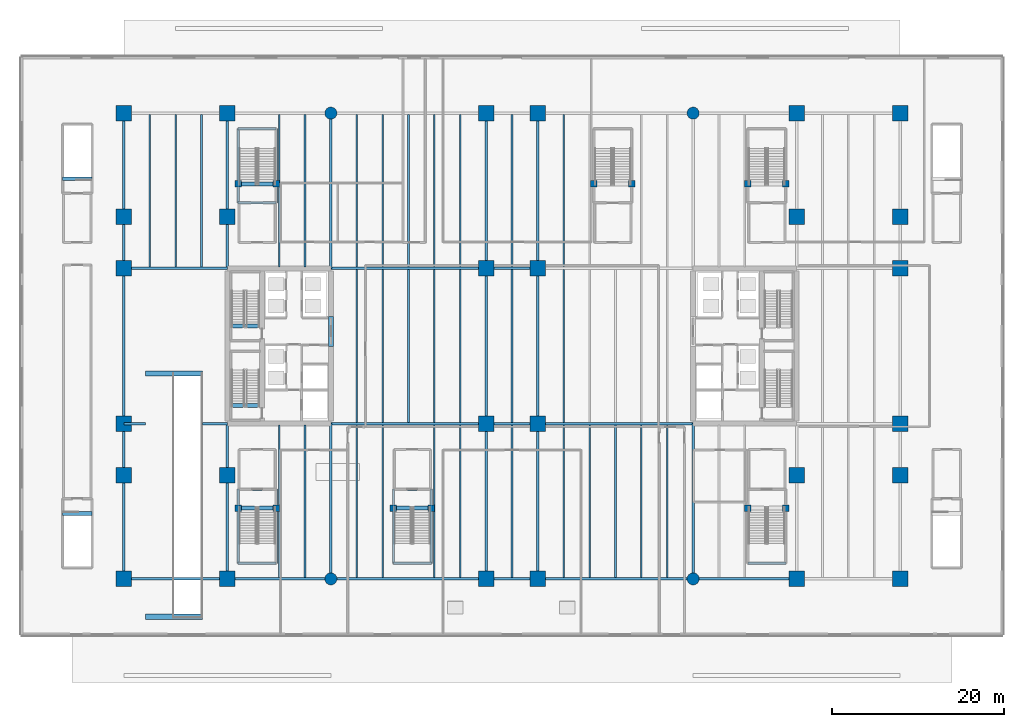
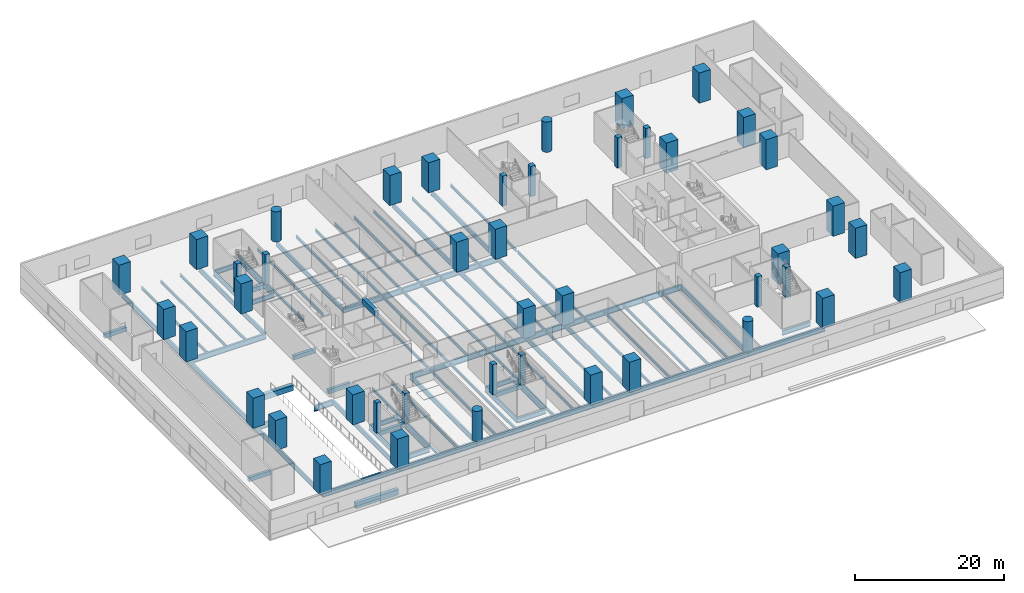
# One storey, part 1 of 25: 82 beams, 44 columns.
"""IFC4 building model written with IfcOpenShell, lengths in metres."""

from ifc_helpers import new_model, si_unit, direction, frame, origin, origin_2d, place, context, subcontext, project, spatial, rectangle, circle, i_section, extrude, material, material_profile, profile_set, type_object, element, save


model = new_model("IFC4")

# Units and contexts
model_context = context("Model", 3, precision=1e-05, world=origin(), true_north=direction((0.0, 1.0)))
body_context = subcontext(model_context, "Body", "Model", "MODEL_VIEW")
ifc_project = project(units=[si_unit("LENGTHUNIT", "METRE"), si_unit("AREAUNIT", "SQUARE_METRE"), si_unit("VOLUMEUNIT", "CUBIC_METRE"), si_unit("PLANEANGLEUNIT", "RADIAN"), si_unit("MASSUNIT", "GRAM", prefix="KILO")], contexts=[model_context])

# Site, building, storey
site_placement = place(None, origin())
site = spatial("IfcSite", under=ifc_project, at=site_placement, CompositionType="ELEMENT")
building_placement = place(site_placement, origin())
building = spatial("IfcBuilding", under=site, at=building_placement, Name="Tanjung Sevakor Pilgrim Tower", CompositionType="ELEMENT")
storey_placement = place(building_placement, origin())
storey = spatial("IfcBuildingStorey", under=building, at=storey_placement, Name="L01", CompositionType="ELEMENT", Elevation=0.0)

# Columns
ifc_material_1 = material(Name="Concrete C60/75", Category="concrete")
ifc_material_profile_1 = material_profile(ifc_material_1, circle(Radius=0.699951171875, at=origin_2d()))
ifc_profile_set_1 = profile_set([ifc_material_profile_1], Name="Concrete C60/75")
column_type_1 = type_object("IfcColumnType", Name="COL-C-D1400-RC-COL_D1400", PredefinedType="COLUMN", material=ifc_profile_set_1)
for number, where, z_axis, x_axis, name in (
    (1, (36.0, 6.60009765625, 0.0), (0.0, 0.0, 1.0), (1.0, 0.0, 0.0), "L01 Column MC-036-066"),
    (2, (36.0, 60.60009765625, 0.0), (0.0, 0.0, 1.0), (1.0, 0.0, 0.0), "L01 Column MC-036-606"),
    (3, (78.0, 6.60009765625, 0.0), (0.0, 0.0, 1.0), (1.0, 0.0, 0.0), "L01 Column MC-078-066"),
    (4, (78.0, 60.60009765625, 0.0), (0.0, 0.0, 1.0), (1.0, 0.0, 0.0), "L01 Column MC-078-606"),
):
    element("IfcColumn", number, at=place(storey_placement, frame(where, z_axis=z_axis, x_axis=x_axis)), inside=storey, type_object=column_type_1, Name=name, PredefinedType="COLUMN", context=body_context, shape_type="SweptSolid", body=[
        extrude(circle(Radius=0.699951171875, at=origin_2d()), origin(), (0.0, 0.0, 1.0), 4.949951171875),
    ])
ifc_material_2 = material(Name="Concrete C60/75", Category="concrete")
ifc_material_profile_2 = material_profile(ifc_material_2, rectangle(XDim=1.800048828125, YDim=1.800048828125, at=origin_2d()))
ifc_profile_set_2 = profile_set([ifc_material_profile_2], Name="Concrete C60/75")
column_type_2 = type_object("IfcColumnType", Name="COL-C-M1800-RC_1800x1800", PredefinedType="COLUMN", material=ifc_profile_set_2)
for number, where, z_axis, x_axis, name in (
    (5, (12.0, 6.60009765625, 0.0), (0.0, 0.0, 1.0), (1.0, 0.0, 0.0), "L01 Column MC-012-066"),
    (6, (12.0, 24.60009765625, 0.0), (0.0, 0.0, 1.0), (1.0, 0.0, 0.0), "L01 Column MC-012-246"),
    (7, (12.0, 42.60009765625, 0.0), (0.0, 0.0, 1.0), (1.0, 0.0, 0.0), "L01 Column MC-012-426"),
    (8, (12.0, 60.60009765625, 0.0), (0.0, 0.0, 1.0), (1.0, 0.0, 0.0), "L01 Column MC-012-606"),
    (9, (24.0, 6.60009765625, 0.0), (0.0, 0.0, 1.0), (1.0, 0.0, 0.0), "L01 Column MC-024-066"),
    (10, (24.0, 60.60009765625, 0.0), (0.0, 0.0, 1.0), (1.0, 0.0, 0.0), "L01 Column MC-024-606"),
    (11, (54.0, 6.60009765625, 0.0), (0.0, 0.0, 1.0), (1.0, 0.0, 0.0), "L01 Column MC-054-066"),
    (12, (54.0, 24.60009765625, 0.0), (0.0, 0.0, 1.0), (1.0, 0.0, 0.0), "L01 Column MC-054-246"),
    (13, (54.0, 42.60009765625, 0.0), (0.0, 0.0, 1.0), (1.0, 0.0, 0.0), "L01 Column MC-054-426"),
    (14, (54.0, 60.60009765625, 0.0), (0.0, 0.0, 1.0), (1.0, 0.0, 0.0), "L01 Column MC-054-606"),
    (15, (60.0, 6.60009765625, 0.0), (0.0, 0.0, 1.0), (1.0, 0.0, 0.0), "L01 Column MC-060-066"),
    (16, (60.0, 24.60009765625, 0.0), (0.0, 0.0, 1.0), (1.0, 0.0, 0.0), "L01 Column MC-060-246"),
    (17, (60.0, 42.60009765625, 0.0), (0.0, 0.0, 1.0), (1.0, 0.0, 0.0), "L01 Column MC-060-426"),
    (18, (60.0, 60.60009765625, 0.0), (0.0, 0.0, 1.0), (1.0, 0.0, 0.0), "L01 Column MC-060-606"),
    (19, (90.0, 6.60009765625, 0.0), (0.0, 0.0, 1.0), (1.0, 0.0, 0.0), "L01 Column MC-090-066"),
    (20, (90.0, 60.60009765625, 0.0), (0.0, 0.0, 1.0), (1.0, 0.0, 0.0), "L01 Column MC-090-606"),
    (21, (102.0, 6.60009765625, 0.0), (0.0, 0.0, 1.0), (1.0, 0.0, 0.0), "L01 Column MC-102-066"),
    (22, (102.0, 24.60009765625, 0.0), (0.0, 0.0, 1.0), (1.0, 0.0, 0.0), "L01 Column MC-102-246"),
    (23, (102.0, 42.60009765625, 0.0), (0.0, 0.0, 1.0), (1.0, 0.0, 0.0), "L01 Column MC-102-426"),
    (24, (102.0, 60.60009765625, 0.0), (0.0, 0.0, 1.0), (1.0, 0.0, 0.0), "L01 Column MC-102-606"),
    (25, (12.0, 18.60009765625, 0.0), (0.0, 0.0, 1.0), (1.0, 0.0, 0.0), "L01 Column MCE-012-186"),
    (26, (12.0, 48.60009765625, 0.0), (0.0, 0.0, 1.0), (1.0, 0.0, 0.0), "L01 Column MCE-012-486"),
    (27, (24.0, 18.60009765625, 0.0), (0.0, 0.0, 1.0), (1.0, 0.0, 0.0), "L01 Column MCE-024-186"),
    (28, (24.0, 48.60009765625, 0.0), (0.0, 0.0, 1.0), (1.0, 0.0, 0.0), "L01 Column MCE-024-486"),
    (29, (90.0, 18.60009765625, 0.0), (0.0, 0.0, 1.0), (1.0, 0.0, 0.0), "L01 Column MCE-090-186"),
    (30, (90.0, 48.60009765625, 0.0), (0.0, 0.0, 1.0), (1.0, 0.0, 0.0), "L01 Column MCE-090-486"),
    (31, (102.0, 18.60009765625, 0.0), (0.0, 0.0, 1.0), (1.0, 0.0, 0.0), "L01 Column MCE-102-186"),
    (32, (102.0, 48.60009765625, 0.0), (0.0, 0.0, 1.0), (1.0, 0.0, 0.0), "L01 Column MCE-102-486"),
):
    element("IfcColumn", number, at=place(storey_placement, frame(where, z_axis=z_axis, x_axis=x_axis)), inside=storey, type_object=column_type_2, Name=name, PredefinedType="COLUMN", context=body_context, shape_type="SweptSolid", body=[
        extrude(rectangle(XDim=1.800048828125, YDim=1.800048828125, at=origin_2d()), origin(), (0.0, 0.0, 1.0), 4.949951171875),
    ])
ifc_material_3 = material(Name="Concrete C60/75", Category="concrete")
ifc_material_profile_3 = material_profile(ifc_material_3, rectangle(XDim=0.75, YDim=0.75, at=origin_2d()))
ifc_profile_set_3 = profile_set([ifc_material_profile_3], Name="Concrete C60/75")
column_type_3 = type_object("IfcColumnType", Name="COL-C-T750-RC_750x750", PredefinedType="COLUMN", material=ifc_profile_set_3)
for number, where, z_axis, x_axis, name in (
    (33, (25.25, 14.800048828125, 0.0), (0.0, 0.0, 1.0), (1.0, 0.0, 0.0), "L01 Stair Frame Column PS1P1"),
    (34, (29.64990234375, 14.800048828125, 0.0), (0.0, 0.0, 1.0), (1.0, 0.0, 0.0), "L01 Stair Frame Column PS1P2"),
    (35, (25.25, 52.39990234375, 0.0), (0.0, 0.0, 1.0), (1.0, 0.0, 0.0), "L01 Stair Frame Column PS2P1"),
    (36, (29.64990234375, 52.39990234375, 0.0), (0.0, 0.0, 1.0), (1.0, 0.0, 0.0), "L01 Stair Frame Column PS2P2"),
    (37, (43.25, 14.800048828125, 0.0), (0.0, 0.0, 1.0), (1.0, 0.0, 0.0), "L01 Stair Frame Column PS3P1"),
    (38, (47.64990234375, 14.800048828125, 0.0), (0.0, 0.0, 1.0), (1.0, 0.0, 0.0), "L01 Stair Frame Column PS3P2"),
    (39, (66.5, 52.39990234375, 0.0), (0.0, 0.0, 1.0), (1.0, 0.0, 0.0), "L01 Stair Frame Column PS4P1"),
    (40, (70.89990234375, 52.39990234375, 0.0), (0.0, 0.0, 1.0), (1.0, 0.0, 0.0), "L01 Stair Frame Column PS4P2"),
    (41, (84.35009765625, 14.800048828125, 0.0), (0.0, 0.0, 1.0), (1.0, 0.0, 0.0), "L01 Stair Frame Column PS5P1"),
    (42, (88.75, 14.800048828125, 0.0), (0.0, 0.0, 1.0), (1.0, 0.0, 0.0), "L01 Stair Frame Column PS5P2"),
    (43, (84.35009765625, 52.39990234375, 0.0), (0.0, 0.0, 1.0), (1.0, 0.0, 0.0), "L01 Stair Frame Column PS6P1"),
    (44, (88.75, 52.39990234375, 0.0), (0.0, 0.0, 1.0), (1.0, 0.0, 0.0), "L01 Stair Frame Column PS6P2"),
):
    element("IfcColumn", number, at=place(storey_placement, frame(where, z_axis=z_axis, x_axis=x_axis)), inside=storey, type_object=column_type_3, Name=name, PredefinedType="COLUMN", context=body_context, shape_type="SweptSolid", body=[
        extrude(rectangle(XDim=0.75, YDim=0.75, at=origin_2d()), origin(), (0.0, 0.0, 1.0), 4.949951171875),
    ])

# Beams
ifc_material_4 = material(Name="Steel S355J2", Category="steel")
ifc_material_profile_4 = material_profile(ifc_material_4, i_section(OverallWidth=0.26806640625, OverallDepth=0.769775390625, WebThickness=0.015625, FlangeThickness=0.025390625, FilletRadius=0.0166015625, at=origin_2d()))
ifc_profile_set_4 = profile_set([ifc_material_profile_4], Name="Steel S355J2")
beam_type_1 = type_object("IfcBeamType", Name="BM-B-G1-UB_762x267x197", PredefinedType="BEAM", material=ifc_profile_set_4)
for number, where, z_axis, x_axis, name in (
    (45, (12.0, 6.60009765625, -0.664794921875), (0.0, 1.0, 0.0), (-1.0, 0.0, 0.0), "L01 Podium Girder NS X12-2"),
    (46, (12.0, 24.60009765625, -0.664794921875), (0.0, 1.0, 0.0), (-1.0, 0.0, 0.0), "L01 Podium Girder NS X12-3"),
    (47, (12.0, 42.60009765625, -0.664794921875), (0.0, 1.0, 0.0), (-1.0, 0.0, 0.0), "L01 Podium Girder NS X12-4"),
    (48, (24.0, 6.60009765625, -0.664794921875), (0.0, 1.0, 0.0), (-1.0, 0.0, 0.0), "L01 Podium Girder NS X24-2"),
    (49, (24.0, 42.60009765625, -0.664794921875), (0.0, 1.0, 0.0), (-1.0, 0.0, 0.0), "L01 Podium Girder NS X24-3"),
    (50, (36.0, 6.60009765625, -0.664794921875), (0.0, 1.0, 0.0), (-1.0, 0.0, 0.0), "L01 Podium Girder NS X36-2"),
    (51, (36.0, 42.60009765625, -0.664794921875), (0.0, 1.0, 0.0), (-1.0, 0.0, 0.0), "L01 Podium Girder NS X36-3"),
    (52, (54.0, 6.60009765625, -0.664794921875), (0.0, 1.0, 0.0), (-1.0, 0.0, 0.0), "L01 Podium Girder NS X54-2"),
    (53, (54.0, 24.60009765625, -0.664794921875), (0.0, 1.0, 0.0), (-1.0, 0.0, 0.0), "L01 Podium Girder NS X54-3"),
    (54, (54.0, 42.60009765625, -0.664794921875), (0.0, 1.0, 0.0), (-1.0, 0.0, 0.0), "L01 Podium Girder NS X54-4"),
    (55, (60.0, 6.60009765625, -0.664794921875), (0.0, 1.0, 0.0), (-1.0, 0.0, 0.0), "L01 Podium Girder NS X60-2"),
    (56, (60.0, 24.60009765625, -0.664794921875), (0.0, 1.0, 0.0), (-1.0, 0.0, 0.0), "L01 Podium Girder NS X60-3"),
    (57, (60.0, 42.60009765625, -0.664794921875), (0.0, 1.0, 0.0), (-1.0, 0.0, 0.0), "L01 Podium Girder NS X60-4"),
    (58, (78.0, 6.60009765625, -0.664794921875), (0.0, 1.0, 0.0), (-1.0, 0.0, 0.0), "L01 Podium Girder NS X78-2"),
):
    element("IfcBeam", number, at=place(storey_placement, frame(where, z_axis=z_axis, x_axis=x_axis)), inside=storey, type_object=beam_type_1, Name=name, PredefinedType="BEAM", context=body_context, shape_type="SweptSolid", body=[
        extrude(i_section(OverallWidth=0.26806640625, OverallDepth=0.769775390625, WebThickness=0.015625, FlangeThickness=0.025390625, FilletRadius=0.0166015625, at=origin_2d()), origin(), (0.0, 0.0, 1.0), 18.0),
    ])
ifc_material_5 = material(Name="Steel S355J2", Category="steel")
ifc_material_profile_5 = material_profile(ifc_material_5, i_section(OverallWidth=0.19287109375, OverallDepth=0.46728515625, WebThickness=0.011474609375, FlangeThickness=0.01953125, FilletRadius=0.01025390625, at=origin_2d()))
ifc_profile_set_5 = profile_set([ifc_material_profile_5], Name="Steel S355J2")
beam_type_2 = type_object("IfcBeamType", Name="BM-B-J1-UB_457x191x98", PredefinedType="JOIST", material=ifc_profile_set_5)
for number, where, z_axis, x_axis, name in (
    (59, (15.0, 42.752685546875, -0.513671875), (0.0, 1.0, 0.0), (-1.0, 0.0, 0.0), "L01 Secondary Joist 001"),
    (60, (18.0, 42.752685546875, -0.513671875), (0.0, 1.0, 0.0), (-1.0, 0.0, 0.0), "L01 Secondary Joist 002"),
    (61, (21.0, 42.752685546875, -0.513671875), (0.0, 1.0, 0.0), (-1.0, 0.0, 0.0), "L01 Secondary Joist 003"),
    (62, (30.0, 6.752685546875, -0.513671875), (0.0, 1.0, 0.0), (-1.0, 0.0, 0.0), "L01 Secondary Joist 004"),
    (63, (30.0, 42.752685546875, -0.513671875), (0.0, 1.0, 0.0), (-1.0, 0.0, 0.0), "L01 Secondary Joist 005"),
    (64, (33.0, 6.752685546875, -0.513671875), (0.0, 1.0, 0.0), (-1.0, 0.0, 0.0), "L01 Secondary Joist 006"),
    (65, (33.0, 42.752685546875, -0.513671875), (0.0, 1.0, 0.0), (-1.0, 0.0, 0.0), "L01 Secondary Joist 007"),
    (66, (39.0, 6.752685546875, -0.513671875), (0.0, 1.0, 0.0), (-1.0, 0.0, 0.0), "L01 Secondary Joist 008"),
    (67, (39.0, 24.752685546875, -0.513671875), (0.0, 1.0, 0.0), (-1.0, 0.0, 0.0), "L01 Secondary Joist 009"),
    (68, (39.0, 42.752685546875, -0.513671875), (0.0, 1.0, 0.0), (-1.0, 0.0, 0.0), "L01 Secondary Joist 010"),
    (69, (42.0, 6.752685546875, -0.513671875), (0.0, 1.0, 0.0), (-1.0, 0.0, 0.0), "L01 Secondary Joist 011"),
    (70, (42.0, 24.752685546875, -0.513671875), (0.0, 1.0, 0.0), (-1.0, 0.0, 0.0), "L01 Secondary Joist 012"),
    (71, (42.0, 42.752685546875, -0.513671875), (0.0, 1.0, 0.0), (-1.0, 0.0, 0.0), "L01 Secondary Joist 013"),
    (72, (45.0, 24.752685546875, -0.513671875), (0.0, 1.0, 0.0), (-1.0, 0.0, 0.0), "L01 Secondary Joist 014"),
    (73, (45.0, 42.752685546875, -0.513671875), (0.0, 1.0, 0.0), (-1.0, 0.0, 0.0), "L01 Secondary Joist 015"),
    (74, (48.0, 6.752685546875, -0.513671875), (0.0, 1.0, 0.0), (-1.0, 0.0, 0.0), "L01 Secondary Joist 016"),
    (75, (48.0, 24.752685546875, -0.513671875), (0.0, 1.0, 0.0), (-1.0, 0.0, 0.0), "L01 Secondary Joist 017"),
    (76, (48.0, 42.752685546875, -0.513671875), (0.0, 1.0, 0.0), (-1.0, 0.0, 0.0), "L01 Secondary Joist 018"),
    (77, (51.0, 6.752685546875, -0.513671875), (0.0, 1.0, 0.0), (-1.0, 0.0, 0.0), "L01 Secondary Joist 019"),
    (78, (51.0, 24.752685546875, -0.513671875), (0.0, 1.0, 0.0), (-1.0, 0.0, 0.0), "L01 Secondary Joist 020"),
    (79, (51.0, 42.752685546875, -0.513671875), (0.0, 1.0, 0.0), (-1.0, 0.0, 0.0), "L01 Secondary Joist 021"),
    (80, (57.0, 6.752685546875, -0.513671875), (0.0, 1.0, 0.0), (-1.0, 0.0, 0.0), "L01 Secondary Joist 022"),
    (81, (57.0, 24.752685546875, -0.513671875), (0.0, 1.0, 0.0), (-1.0, 0.0, 0.0), "L01 Secondary Joist 023"),
    (82, (57.0, 42.752685546875, -0.513671875), (0.0, 1.0, 0.0), (-1.0, 0.0, 0.0), "L01 Secondary Joist 024"),
    (83, (63.0, 6.752685546875, -0.513671875), (0.0, 1.0, 0.0), (-1.0, 0.0, 0.0), "L01 Secondary Joist 025"),
    (84, (63.0, 24.752685546875, -0.513671875), (0.0, 1.0, 0.0), (-1.0, 0.0, 0.0), "L01 Secondary Joist 026"),
    (85, (63.0, 42.752685546875, -0.513671875), (0.0, 1.0, 0.0), (-1.0, 0.0, 0.0), "L01 Secondary Joist 027"),
    (86, (66.0, 6.752685546875, -0.513671875), (0.0, 1.0, 0.0), (-1.0, 0.0, 0.0), "L01 Secondary Joist 028"),
    (87, (69.0, 6.752685546875, -0.513671875), (0.0, 1.0, 0.0), (-1.0, 0.0, 0.0), "L01 Secondary Joist 031"),
    (88, (72.0, 6.752685546875, -0.513671875), (0.0, 1.0, 0.0), (-1.0, 0.0, 0.0), "L01 Secondary Joist 033"),
    (89, (75.0, 6.752685546875, -0.513671875), (0.0, 1.0, 0.0), (-1.0, 0.0, 0.0), "L01 Secondary Joist 036"),
):
    element("IfcBeam", number, at=place(storey_placement, frame(where, z_axis=z_axis, x_axis=x_axis)), inside=storey, type_object=beam_type_2, Name=name, PredefinedType="JOIST", context=body_context, shape_type="SweptSolid", body=[
        extrude(i_section(OverallWidth=0.19287109375, OverallDepth=0.46728515625, WebThickness=0.011474609375, FlangeThickness=0.01953125, FilletRadius=0.01025390625, at=origin_2d()), origin(), (0.0, 0.0, 1.0), 17.694580078125),
    ])
ifc_material_6 = material(Name="Concrete C60/75", Category="concrete")
ifc_material_profile_6 = material_profile(ifc_material_6, rectangle(XDim=0.60009765625, YDim=0.89990234375, at=origin_2d()))
ifc_profile_set_6 = profile_set([ifc_material_profile_6], Name="Concrete C60/75")
beam_type_3 = type_object("IfcBeamType", Name="BM-B-LN1-RC-BM_600x900", PredefinedType="LINTEL", material=ifc_profile_set_6)
beam_1_placement = place(storey_placement, frame((36.0, 33.550048828125, 4.219970703125), z_axis=(0.0, 1.0, 0.0), x_axis=(-1.0, 0.0, 0.0)))
element("IfcBeam", 90, at=beam_1_placement, inside=storey, type_object=beam_type_3, Name="L01 W Core Coupling Lintel", PredefinedType="LINTEL", context=body_context, shape_type="SweptSolid", body=[
    extrude(rectangle(XDim=0.60009765625, YDim=0.89990234375, at=origin_2d()), origin(), (0.0, 0.0, 1.0), 3.5),
])
for number, where, z_axis, x_axis, name in (
    (91, (14.5, 2.199951171875, -0.699951171875), (1.0, 0.0, 0.0), (0.0, 1.0, 0.0), "L01 Vehicle Ramp Landing Beam 1"),
    (92, (14.5, 30.39990234375, -0.699951171875), (1.0, 0.0, 0.0), (0.0, 1.0, 0.0), "L01 Vehicle Ramp Landing Beam 2"),
):
    element("IfcBeam", number, at=place(storey_placement, frame(where, z_axis=z_axis, x_axis=x_axis)), inside=storey, type_object=beam_type_3, Name=name, PredefinedType="LINTEL", context=body_context, shape_type="SweptSolid", body=[
        extrude(rectangle(XDim=0.60009765625, YDim=0.89990234375, at=origin_2d()), origin(), (0.0, 0.0, 1.0), 6.60009765625),
    ])
ifc_material_7 = material(Name="Concrete C60/75", Category="concrete")
ifc_material_profile_7 = material_profile(ifc_material_7, rectangle(XDim=0.449951171875, YDim=0.699951171875, at=origin_2d()))
ifc_profile_set_7 = profile_set([ifc_material_profile_7], Name="Concrete C60/75")
beam_type_4 = type_object("IfcBeamType", Name="BM-B-LN3-RC-BM_450x700", PredefinedType="LINTEL", material=ifc_profile_set_7)
for number, where, z_axis, x_axis, name in (
    (93, (24.39990234375, 26.699951171875, -0.35009765625), (1.0, 0.0, 0.0), (0.0, 1.0, 0.0), "L01 TS-W1 Stair Threshold Beam"),
    (94, (24.39990234375, 35.89990234375, -0.35009765625), (1.0, 0.0, 0.0), (0.0, 1.0, 0.0), "L01 TS-W2 Stair Threshold Beam"),
):
    element("IfcBeam", number, at=place(storey_placement, frame(where, z_axis=z_axis, x_axis=x_axis)), inside=storey, type_object=beam_type_4, Name=name, PredefinedType="LINTEL", context=body_context, shape_type="SweptSolid", body=[
        extrude(rectangle(XDim=0.449951171875, YDim=0.699951171875, at=origin_2d()), origin(), (0.0, 0.0, 1.0), 3.400146484375),
    ])
for number, where, z_axis, x_axis, name in (
    (95, (25.25, 14.800048828125, -0.35009765625), (1.0, 0.0, 0.0), (0.0, 1.0, 0.0), "L01 PS-1 Stair Threshold Beam"),
    (96, (25.25, 52.39990234375, -0.35009765625), (1.0, 0.0, 0.0), (0.0, 1.0, 0.0), "L01 PS-2 Stair Threshold Beam"),
    (97, (43.25, 14.800048828125, -0.35009765625), (1.0, 0.0, 0.0), (0.0, 1.0, 0.0), "L01 PS-3 Stair Threshold Beam"),
):
    element("IfcBeam", number, at=place(storey_placement, frame(where, z_axis=z_axis, x_axis=x_axis)), inside=storey, type_object=beam_type_4, Name=name, PredefinedType="LINTEL", context=body_context, shape_type="SweptSolid", body=[
        extrude(rectangle(XDim=0.449951171875, YDim=0.699951171875, at=origin_2d()), origin(), (0.0, 0.0, 1.0), 4.39990234375),
    ])
for number, where, z_axis, x_axis, name in (
    (98, (4.89990234375, 14.199951171875, -0.35009765625), (1.0, 0.0, 0.0), (0.0, 1.0, 0.0), "L01 BS-1 Stair Threshold Beam"),
    (99, (4.89990234375, 53.0, -0.35009765625), (1.0, 0.0, 0.0), (0.0, 1.0, 0.0), "L01 BS-2 Stair Threshold Beam"),
):
    element("IfcBeam", number, at=place(storey_placement, frame(where, z_axis=z_axis, x_axis=x_axis)), inside=storey, type_object=beam_type_4, Name=name, PredefinedType="LINTEL", context=body_context, shape_type="SweptSolid", body=[
        extrude(rectangle(XDim=0.449951171875, YDim=0.699951171875, at=origin_2d()), origin(), (0.0, 0.0, 1.0), 3.400146484375),
    ])
ifc_material_8 = material(Name="Steel S355J2", Category="steel")
ifc_material_profile_8 = material_profile(ifc_material_8, i_section(OverallWidth=0.305419921875, OverallDepth=0.91845703125, WebThickness=0.017333984375, FlangeThickness=0.02783203125, FilletRadius=0.01904296875, at=origin_2d()))
ifc_profile_set_8 = profile_set([ifc_material_profile_8], Name="Steel S355J2")
beam_type_5 = type_object("IfcBeamType", Name="BM-B-POD2-UB_914x305x253", PredefinedType="BEAM", material=ifc_profile_set_8)
for number, where, z_axis, x_axis, name in (
    (100, (12.0, 6.60009765625, -0.7392578125), (1.0, 0.0, 0.0), (0.0, 1.0, 0.0), "L01 Podium Girder EW Y6.6-2"),
    (101, (24.0, 6.60009765625, -0.7392578125), (1.0, 0.0, 0.0), (0.0, 1.0, 0.0), "L01 Podium Girder EW Y6.6-3"),
):
    element("IfcBeam", number, at=place(storey_placement, frame(where, z_axis=z_axis, x_axis=x_axis)), inside=storey, type_object=beam_type_5, Name=name, PredefinedType="BEAM", context=body_context, shape_type="SweptSolid", body=[
        extrude(i_section(OverallWidth=0.305419921875, OverallDepth=0.91845703125, WebThickness=0.017333984375, FlangeThickness=0.02783203125, FilletRadius=0.01904296875, at=origin_2d()), origin(), (0.0, 0.0, 1.0), 12.0),
    ])
beam_2_placement = place(storey_placement, frame((36.0, 6.60009765625, -0.7392578125), z_axis=(1.0, 0.0, 0.0), x_axis=(0.0, 1.0, 0.0)))
element("IfcBeam", 102, at=beam_2_placement, inside=storey, type_object=beam_type_5, Name="L01 Podium Girder EW Y6.6-4", PredefinedType="BEAM", context=body_context, shape_type="SweptSolid", body=[
    extrude(i_section(OverallWidth=0.305419921875, OverallDepth=0.91845703125, WebThickness=0.017333984375, FlangeThickness=0.02783203125, FilletRadius=0.01904296875, at=origin_2d()), origin(), (0.0, 0.0, 1.0), 18.0),
])
beam_3_placement = place(storey_placement, frame((54.0, 6.60009765625, -0.7392578125), z_axis=(1.0, 0.0, 0.0), x_axis=(0.0, 1.0, 0.0)))
element("IfcBeam", 103, at=beam_3_placement, inside=storey, type_object=beam_type_5, Name="L01 Podium Girder EW Y6.6-5", PredefinedType="BEAM", context=body_context, shape_type="SweptSolid", body=[
    extrude(i_section(OverallWidth=0.305419921875, OverallDepth=0.91845703125, WebThickness=0.017333984375, FlangeThickness=0.02783203125, FilletRadius=0.01904296875, at=origin_2d()), origin(), (0.0, 0.0, 1.0), 6.0),
])
beam_4_placement = place(storey_placement, frame((60.0, 6.60009765625, -0.7392578125), z_axis=(1.0, 0.0, 0.0), x_axis=(0.0, 1.0, 0.0)))
element("IfcBeam", 104, at=beam_4_placement, inside=storey, type_object=beam_type_5, Name="L01 Podium Girder EW Y6.6-6", PredefinedType="BEAM", context=body_context, shape_type="SweptSolid", body=[
    extrude(i_section(OverallWidth=0.305419921875, OverallDepth=0.91845703125, WebThickness=0.017333984375, FlangeThickness=0.02783203125, FilletRadius=0.01904296875, at=origin_2d()), origin(), (0.0, 0.0, 1.0), 18.0),
])
beam_5_placement = place(storey_placement, frame((78.0, 6.60009765625, -0.7392578125), z_axis=(1.0, 0.0, 0.0), x_axis=(0.0, 1.0, 0.0)))
element("IfcBeam", 105, at=beam_5_placement, inside=storey, type_object=beam_type_5, Name="L01 Podium Girder EW Y6.6-7", PredefinedType="BEAM", context=body_context, shape_type="SweptSolid", body=[
    extrude(i_section(OverallWidth=0.305419921875, OverallDepth=0.91845703125, WebThickness=0.017333984375, FlangeThickness=0.02783203125, FilletRadius=0.01904296875, at=origin_2d()), origin(), (0.0, 0.0, 1.0), 12.0),
])
beam_6_placement = place(storey_placement, frame((12.0, 24.60009765625, -0.7392578125), z_axis=(1.0, 0.0, 0.0), x_axis=(0.0, 1.0, 0.0)))
element("IfcBeam", 106, at=beam_6_placement, inside=storey, type_object=beam_type_5, Name="L01 Podium Girder EW Y24.6-2", PredefinedType="BEAM", context=body_context, shape_type="SweptSolid", body=[
    extrude(i_section(OverallWidth=0.305419921875, OverallDepth=0.91845703125, WebThickness=0.017333984375, FlangeThickness=0.02783203125, FilletRadius=0.01904296875, at=origin_2d()), origin(), (0.0, 0.0, 1.0), 2.5),
])
beam_7_placement = place(storey_placement, frame((21.10009765625, 24.60009765625, -0.7392578125), z_axis=(1.0, 0.0, 0.0), x_axis=(0.0, 1.0, 0.0)))
element("IfcBeam", 107, at=beam_7_placement, inside=storey, type_object=beam_type_5, Name="L01 Podium Girder EW Y24.6-3", PredefinedType="BEAM", context=body_context, shape_type="SweptSolid", body=[
    extrude(i_section(OverallWidth=0.305419921875, OverallDepth=0.91845703125, WebThickness=0.017333984375, FlangeThickness=0.02783203125, FilletRadius=0.01904296875, at=origin_2d()), origin(), (0.0, 0.0, 1.0), 2.89990234375),
])
beam_8_placement = place(storey_placement, frame((36.0, 24.60009765625, -0.7392578125), z_axis=(1.0, 0.0, 0.0), x_axis=(0.0, 1.0, 0.0)))
element("IfcBeam", 108, at=beam_8_placement, inside=storey, type_object=beam_type_5, Name="L01 Podium Girder EW Y24.6-4", PredefinedType="BEAM", context=body_context, shape_type="SweptSolid", body=[
    extrude(i_section(OverallWidth=0.305419921875, OverallDepth=0.91845703125, WebThickness=0.017333984375, FlangeThickness=0.02783203125, FilletRadius=0.01904296875, at=origin_2d()), origin(), (0.0, 0.0, 1.0), 18.0),
])
beam_9_placement = place(storey_placement, frame((54.0, 24.60009765625, -0.7392578125), z_axis=(1.0, 0.0, 0.0), x_axis=(0.0, 1.0, 0.0)))
element("IfcBeam", 109, at=beam_9_placement, inside=storey, type_object=beam_type_5, Name="L01 Podium Girder EW Y24.6-5", PredefinedType="BEAM", context=body_context, shape_type="SweptSolid", body=[
    extrude(i_section(OverallWidth=0.305419921875, OverallDepth=0.91845703125, WebThickness=0.017333984375, FlangeThickness=0.02783203125, FilletRadius=0.01904296875, at=origin_2d()), origin(), (0.0, 0.0, 1.0), 6.0),
])
beam_10_placement = place(storey_placement, frame((60.0, 24.60009765625, -0.7392578125), z_axis=(1.0, 0.0, 0.0), x_axis=(0.0, 1.0, 0.0)))
element("IfcBeam", 110, at=beam_10_placement, inside=storey, type_object=beam_type_5, Name="L01 Podium Girder EW Y24.6-6", PredefinedType="BEAM", context=body_context, shape_type="SweptSolid", body=[
    extrude(i_section(OverallWidth=0.305419921875, OverallDepth=0.91845703125, WebThickness=0.017333984375, FlangeThickness=0.02783203125, FilletRadius=0.01904296875, at=origin_2d()), origin(), (0.0, 0.0, 1.0), 18.0),
])
beam_11_placement = place(storey_placement, frame((12.0, 42.60009765625, -0.7392578125), z_axis=(1.0, 0.0, 0.0), x_axis=(0.0, 1.0, 0.0)))
element("IfcBeam", 111, at=beam_11_placement, inside=storey, type_object=beam_type_5, Name="L01 Podium Girder EW Y42.6-2", PredefinedType="BEAM", context=body_context, shape_type="SweptSolid", body=[
    extrude(i_section(OverallWidth=0.305419921875, OverallDepth=0.91845703125, WebThickness=0.017333984375, FlangeThickness=0.02783203125, FilletRadius=0.01904296875, at=origin_2d()), origin(), (0.0, 0.0, 1.0), 12.0),
])
beam_12_placement = place(storey_placement, frame((36.0, 42.60009765625, -0.7392578125), z_axis=(1.0, 0.0, 0.0), x_axis=(0.0, 1.0, 0.0)))
element("IfcBeam", 112, at=beam_12_placement, inside=storey, type_object=beam_type_5, Name="L01 Podium Girder EW Y42.6-3", PredefinedType="BEAM", context=body_context, shape_type="SweptSolid", body=[
    extrude(i_section(OverallWidth=0.305419921875, OverallDepth=0.91845703125, WebThickness=0.017333984375, FlangeThickness=0.02783203125, FilletRadius=0.01904296875, at=origin_2d()), origin(), (0.0, 0.0, 1.0), 18.0),
])
beam_13_placement = place(storey_placement, frame((54.0, 42.60009765625, -0.7392578125), z_axis=(1.0, 0.0, 0.0), x_axis=(0.0, 1.0, 0.0)))
element("IfcBeam", 113, at=beam_13_placement, inside=storey, type_object=beam_type_5, Name="L01 Podium Girder EW Y42.6-4", PredefinedType="BEAM", context=body_context, shape_type="SweptSolid", body=[
    extrude(i_section(OverallWidth=0.305419921875, OverallDepth=0.91845703125, WebThickness=0.017333984375, FlangeThickness=0.02783203125, FilletRadius=0.01904296875, at=origin_2d()), origin(), (0.0, 0.0, 1.0), 6.0),
])
ifc_material_9 = material(Name="Steel S355J2", Category="steel")
ifc_material_profile_9 = material_profile(ifc_material_9, i_section(OverallWidth=0.2666015625, OverallDepth=0.76220703125, WebThickness=0.014404296875, FlangeThickness=0.021484375, FilletRadius=0.0166015625, at=origin_2d()))
ifc_profile_set_9 = profile_set([ifc_material_profile_9], Name="Steel S355J2")
beam_type_6 = type_object("IfcBeamType", Name="BM-B-POD4-UB_762x267x173", PredefinedType="BEAM", material=ifc_profile_set_9)
beam_14_placement = place(storey_placement, frame((25.25, 8.39990234375, -0.6611328125), z_axis=(1.0, 0.0, 0.0), x_axis=(0.0, 1.0, 0.0)))
element("IfcBeam", 114, at=beam_14_placement, inside=storey, type_object=beam_type_6, Name="L01 PS-1 Shaft Base Girder 1", PredefinedType="BEAM", context=body_context, shape_type="SweptSolid", body=[
    extrude(i_section(OverallWidth=0.2666015625, OverallDepth=0.76220703125, WebThickness=0.014404296875, FlangeThickness=0.021484375, FilletRadius=0.0166015625, at=origin_2d()), origin(), (0.0, 0.0, 1.0), 4.39990234375),
])
beam_15_placement = place(storey_placement, frame((29.64990234375, 8.39990234375, -0.6611328125), z_axis=(0.0, 1.0, 0.0), x_axis=(-1.0, 0.0, 0.0)))
element("IfcBeam", 115, at=beam_15_placement, inside=storey, type_object=beam_type_6, Name="L01 PS-1 Shaft Base Girder 2", PredefinedType="BEAM", context=body_context, shape_type="SweptSolid", body=[
    extrude(i_section(OverallWidth=0.2666015625, OverallDepth=0.76220703125, WebThickness=0.014404296875, FlangeThickness=0.021484375, FilletRadius=0.0166015625, at=origin_2d()), origin(), (0.0, 0.0, 1.0), 8.60009765625),
])
beam_16_placement = place(storey_placement, frame((29.64990234375, 17.0, -0.6611328125), z_axis=(-1.0, 0.0, 0.0), x_axis=(0.0, -1.0, 0.0)))
element("IfcBeam", 116, at=beam_16_placement, inside=storey, type_object=beam_type_6, Name="L01 PS-1 Shaft Base Girder 3", PredefinedType="BEAM", context=body_context, shape_type="SweptSolid", body=[
    extrude(i_section(OverallWidth=0.2666015625, OverallDepth=0.76220703125, WebThickness=0.014404296875, FlangeThickness=0.021484375, FilletRadius=0.0166015625, at=origin_2d()), origin(), (0.0, 0.0, 1.0), 4.39990234375),
])
beam_17_placement = place(storey_placement, frame((25.25, 17.0, -0.6611328125), z_axis=(0.0, -1.0, 0.0), x_axis=(1.0, 0.0, 0.0)))
element("IfcBeam", 117, at=beam_17_placement, inside=storey, type_object=beam_type_6, Name="L01 PS-1 Shaft Base Girder 4", PredefinedType="BEAM", context=body_context, shape_type="SweptSolid", body=[
    extrude(i_section(OverallWidth=0.2666015625, OverallDepth=0.76220703125, WebThickness=0.014404296875, FlangeThickness=0.021484375, FilletRadius=0.0166015625, at=origin_2d()), origin(), (0.0, 0.0, 1.0), 8.60009765625),
])
beam_18_placement = place(storey_placement, frame((25.25, 50.199951171875, -0.6611328125), z_axis=(1.0, 0.0, 0.0), x_axis=(0.0, 1.0, 0.0)))
element("IfcBeam", 118, at=beam_18_placement, inside=storey, type_object=beam_type_6, Name="L01 PS-2 Shaft Base Girder 1", PredefinedType="BEAM", context=body_context, shape_type="SweptSolid", body=[
    extrude(i_section(OverallWidth=0.2666015625, OverallDepth=0.76220703125, WebThickness=0.014404296875, FlangeThickness=0.021484375, FilletRadius=0.0166015625, at=origin_2d()), origin(), (0.0, 0.0, 1.0), 4.39990234375),
])
beam_19_placement = place(storey_placement, frame((29.64990234375, 50.199951171875, -0.6611328125), z_axis=(0.0, 1.0, 0.0), x_axis=(-1.0, 0.0, 0.0)))
element("IfcBeam", 119, at=beam_19_placement, inside=storey, type_object=beam_type_6, Name="L01 PS-2 Shaft Base Girder 2", PredefinedType="BEAM", context=body_context, shape_type="SweptSolid", body=[
    extrude(i_section(OverallWidth=0.2666015625, OverallDepth=0.76220703125, WebThickness=0.014404296875, FlangeThickness=0.021484375, FilletRadius=0.0166015625, at=origin_2d()), origin(), (0.0, 0.0, 1.0), 8.60009765625),
])
beam_20_placement = place(storey_placement, frame((29.64990234375, 58.800048828125, -0.6611328125), z_axis=(-1.0, 0.0, 0.0), x_axis=(0.0, -1.0, 0.0)))
element("IfcBeam", 120, at=beam_20_placement, inside=storey, type_object=beam_type_6, Name="L01 PS-2 Shaft Base Girder 3", PredefinedType="BEAM", context=body_context, shape_type="SweptSolid", body=[
    extrude(i_section(OverallWidth=0.2666015625, OverallDepth=0.76220703125, WebThickness=0.014404296875, FlangeThickness=0.021484375, FilletRadius=0.0166015625, at=origin_2d()), origin(), (0.0, 0.0, 1.0), 4.39990234375),
])
beam_21_placement = place(storey_placement, frame((25.25, 58.800048828125, -0.6611328125), z_axis=(0.0, -1.0, 0.0), x_axis=(1.0, 0.0, 0.0)))
element("IfcBeam", 121, at=beam_21_placement, inside=storey, type_object=beam_type_6, Name="L01 PS-2 Shaft Base Girder 4", PredefinedType="BEAM", context=body_context, shape_type="SweptSolid", body=[
    extrude(i_section(OverallWidth=0.2666015625, OverallDepth=0.76220703125, WebThickness=0.014404296875, FlangeThickness=0.021484375, FilletRadius=0.0166015625, at=origin_2d()), origin(), (0.0, 0.0, 1.0), 8.60009765625),
])
beam_22_placement = place(storey_placement, frame((43.25, 8.39990234375, -0.6611328125), z_axis=(1.0, 0.0, 0.0), x_axis=(0.0, 1.0, 0.0)))
element("IfcBeam", 122, at=beam_22_placement, inside=storey, type_object=beam_type_6, Name="L01 PS-3 Shaft Base Girder 1", PredefinedType="BEAM", context=body_context, shape_type="SweptSolid", body=[
    extrude(i_section(OverallWidth=0.2666015625, OverallDepth=0.76220703125, WebThickness=0.014404296875, FlangeThickness=0.021484375, FilletRadius=0.0166015625, at=origin_2d()), origin(), (0.0, 0.0, 1.0), 4.39990234375),
])
beam_23_placement = place(storey_placement, frame((47.64990234375, 8.39990234375, -0.6611328125), z_axis=(0.0, 1.0, 0.0), x_axis=(-1.0, 0.0, 0.0)))
element("IfcBeam", 123, at=beam_23_placement, inside=storey, type_object=beam_type_6, Name="L01 PS-3 Shaft Base Girder 2", PredefinedType="BEAM", context=body_context, shape_type="SweptSolid", body=[
    extrude(i_section(OverallWidth=0.2666015625, OverallDepth=0.76220703125, WebThickness=0.014404296875, FlangeThickness=0.021484375, FilletRadius=0.0166015625, at=origin_2d()), origin(), (0.0, 0.0, 1.0), 8.60009765625),
])
beam_24_placement = place(storey_placement, frame((47.64990234375, 17.0, -0.6611328125), z_axis=(-1.0, 0.0, 0.0), x_axis=(0.0, -1.0, 0.0)))
element("IfcBeam", 124, at=beam_24_placement, inside=storey, type_object=beam_type_6, Name="L01 PS-3 Shaft Base Girder 3", PredefinedType="BEAM", context=body_context, shape_type="SweptSolid", body=[
    extrude(i_section(OverallWidth=0.2666015625, OverallDepth=0.76220703125, WebThickness=0.014404296875, FlangeThickness=0.021484375, FilletRadius=0.0166015625, at=origin_2d()), origin(), (0.0, 0.0, 1.0), 4.39990234375),
])
beam_25_placement = place(storey_placement, frame((43.25, 17.0, -0.6611328125), z_axis=(0.0, -1.0, 0.0), x_axis=(1.0, 0.0, 0.0)))
element("IfcBeam", 125, at=beam_25_placement, inside=storey, type_object=beam_type_6, Name="L01 PS-3 Shaft Base Girder 4", PredefinedType="BEAM", context=body_context, shape_type="SweptSolid", body=[
    extrude(i_section(OverallWidth=0.2666015625, OverallDepth=0.76220703125, WebThickness=0.014404296875, FlangeThickness=0.021484375, FilletRadius=0.0166015625, at=origin_2d()), origin(), (0.0, 0.0, 1.0), 8.60009765625),
])
beam_26_placement = place(storey_placement, frame((84.35009765625, 8.39990234375, -0.6611328125), z_axis=(1.0, 0.0, 0.0), x_axis=(0.0, 1.0, 0.0)))
element("IfcBeam", 126, at=beam_26_placement, inside=storey, type_object=beam_type_6, Name="L01 PS-5 Shaft Base Girder 1", PredefinedType="BEAM", context=body_context, shape_type="SweptSolid", body=[
    extrude(i_section(OverallWidth=0.2666015625, OverallDepth=0.76220703125, WebThickness=0.014404296875, FlangeThickness=0.021484375, FilletRadius=0.0166015625, at=origin_2d()), origin(), (0.0, 0.0, 1.0), 4.39990234375),
])

save(model, "model.ifc")
